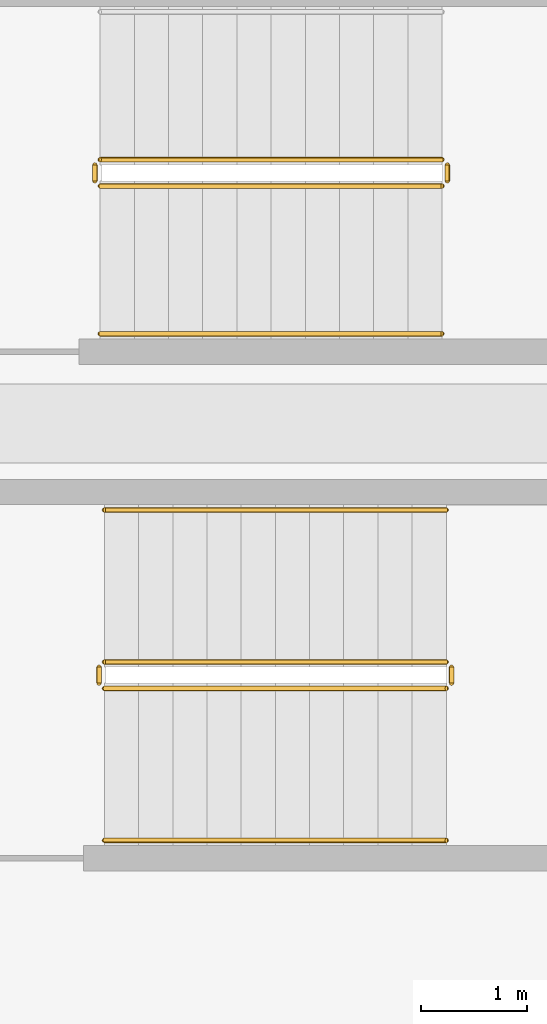
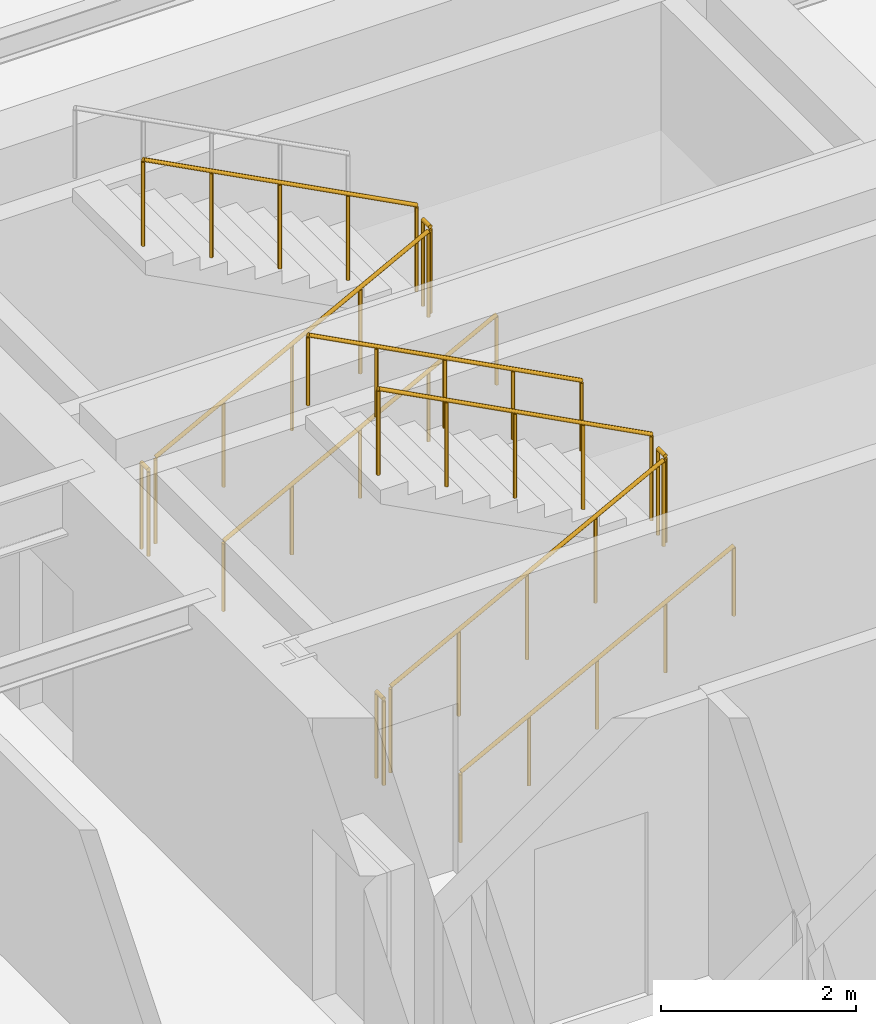
# One storey, part 11 of 12: 11 railings.
"""IFC4 building model written with IfcOpenShell, lengths in metres."""

from ifc_helpers import new_model, si_unit, direction, frame, origin, origin_2d, place, context, subcontext, project, spatial, circle, extrude, material, type_object, element, save


model = new_model("IFC4")

# Units and contexts
model_context = context("Model", 3, precision=1e-05, world=origin(), true_north=direction((0.0, 1.0)))
body_context = subcontext(model_context, "Body", "Model", "MODEL_VIEW")
ifc_project = project(units=[si_unit("LENGTHUNIT", "METRE"), si_unit("AREAUNIT", "SQUARE_METRE"), si_unit("VOLUMEUNIT", "CUBIC_METRE"), si_unit("PLANEANGLEUNIT", "RADIAN"), si_unit("MASSUNIT", "GRAM", prefix="KILO")], contexts=[model_context])

# Site, building, storey
site_placement = place(None, origin())
site = spatial("IfcSite", under=ifc_project, at=site_placement, CompositionType="ELEMENT")
building_placement = place(site_placement, origin())
building = spatial("IfcBuilding", under=site, at=building_placement, Name="Kolvaren Arena Tower", CompositionType="ELEMENT")
storey_placement = place(building_placement, frame((0.0, 0.0, 165.949951171875)))
storey = spatial("IfcBuildingStorey", under=building, at=storey_placement, Name="L39", CompositionType="ELEMENT", Elevation=165.949951171875)

# Railings
ifc_material_1 = material(Name="Painted galvanized steel", Category="steel")
railing_type_1 = type_object("IfcRailingType", Name="GUARD-ST-110", PredefinedType="GUARDRAIL", material=ifc_material_1)
railing_1_placement = place(storey_placement, frame((52.719970703125, 31.639892578125, 0.17041015625)))
element("IfcRailing", 1, at=railing_1_placement, inside=storey, type_object=railing_type_1, Name="L39 ST-E1 stair guard 1", PredefinedType="GUARDRAIL", context=body_context, shape_type="SweptSolid", body=[
    extrude(circle(Radius=0.02392578125, at=origin_2d()), frame((0.0, 0.0, 1.076171875), z_axis=(0.884993431791, 0.0, 0.465603506952), x_axis=(0.0, 1.0, 0.0)), (0.0, 0.0, 1.0), 3.6611328125),
    extrude(circle(Radius=0.02099609375, at=origin_2d()), origin(), (0.0, 0.0, 1.0), 1.052001953125),
    extrude(circle(Radius=0.02099609375, at=origin_2d()), frame((0.81005859375, 0.0, 0.42626953125)), (0.0, 0.0, 1.0), 1.052001953125),
    extrude(circle(Radius=0.02099609375, at=origin_2d()), frame((1.6201171875, 0.0, 0.852294921875)), (0.0, 0.0, 1.0), 1.052001953125),
    extrude(circle(Radius=0.02099609375, at=origin_2d()), frame((2.429931640625, 0.0, 1.2783203125)), (0.0, 0.0, 1.0), 1.052001953125),
    extrude(circle(Radius=0.02099609375, at=origin_2d()), frame((3.239990234375, 0.0, 1.70458984375)), (0.0, 0.0, 1.0), 1.052001953125),
])
railing_2_placement = place(storey_placement, frame((56.010009765625, 31.68994140625, 1.875)))
element("IfcRailing", 2, at=railing_2_placement, inside=storey, type_object=railing_type_1, Name="L39 ST-E1 stair guard 2", PredefinedType="GUARDRAIL", context=body_context, shape_type="SweptSolid", body=[
    extrude(circle(Radius=0.02392578125, at=origin_2d()), frame((0.0, 0.0, 1.076171875), z_axis=(0.0, 1.0, 0.0), x_axis=(-1.0, 0.0, 0.0)), (0.0, 0.0, 1.0), 0.150146484375),
    extrude(circle(Radius=0.02099609375, at=origin_2d()), origin(), (0.0, 0.0, 1.0), 1.052001953125),
    extrude(circle(Radius=0.02099609375, at=origin_2d()), frame((0.0, 0.150146484375, 0.0)), (0.0, 0.0, 1.0), 1.052001953125),
])
railing_3_placement = place(storey_placement, frame((55.9599609375, 31.889892578125, 2.04541015625)))
element("IfcRailing", 3, at=railing_3_placement, inside=storey, type_object=railing_type_1, Name="L39 ST-E1 stair guard 3", PredefinedType="GUARDRAIL", context=body_context, shape_type="SweptSolid", body=[
    extrude(circle(Radius=0.02392578125, at=origin_2d()), frame((0.0, 0.0, 1.076171875), z_axis=(-0.884993431791, 0.0, 0.465603506952), x_axis=(0.0, -1.0, 0.0)), (0.0, 0.0, 1.0), 3.6611328125),
    extrude(circle(Radius=0.02099609375, at=origin_2d()), origin(), (0.0, 0.0, 1.0), 1.052001953125),
    extrude(circle(Radius=0.02099609375, at=origin_2d()), frame((-0.81005859375, 0.0, 0.42626953125)), (0.0, 0.0, 1.0), 1.052001953125),
    extrude(circle(Radius=0.02099609375, at=origin_2d()), frame((-1.6201171875, 0.0, 0.852294921875)), (0.0, 0.0, 1.0), 1.052001953125),
    extrude(circle(Radius=0.02099609375, at=origin_2d()), frame((-2.429931640625, 0.0, 1.2783203125)), (0.0, 0.0, 1.0), 1.052001953125),
    extrude(circle(Radius=0.02099609375, at=origin_2d()), frame((-3.239990234375, 0.0, 1.70458984375)), (0.0, 0.0, 1.0), 1.052001953125),
])
railing_4_placement = place(storey_placement, frame((52.669921875, 31.68994140625, 0.0)))
element("IfcRailing", 4, at=railing_4_placement, inside=storey, type_object=railing_type_1, Name="L39 ST-E1 stair guard 4", PredefinedType="GUARDRAIL", context=body_context, shape_type="SweptSolid", body=[
    extrude(circle(Radius=0.02392578125, at=origin_2d()), frame((0.0, 0.0, 1.076171875), z_axis=(0.0, 1.0, 0.0), x_axis=(-1.0, 0.0, 0.0)), (0.0, 0.0, 1.0), 0.150146484375),
    extrude(circle(Radius=0.02099609375, at=origin_2d()), origin(), (0.0, 0.0, 1.0), 1.052001953125),
    extrude(circle(Radius=0.02099609375, at=origin_2d()), frame((0.0, 0.150146484375, 0.0)), (0.0, 0.0, 1.0), 1.052001953125),
])
railing_5_placement = place(storey_placement, frame((52.679931640625, 36.39990234375, 0.17041015625)))
element("IfcRailing", 5, at=railing_5_placement, inside=storey, type_object=railing_type_1, Name="L39 ST-E2 stair guard 1", PredefinedType="GUARDRAIL", context=body_context, shape_type="SweptSolid", body=[
    extrude(circle(Radius=0.02392578125, at=origin_2d()), frame((0.0, 0.0, 1.076171875), z_axis=(0.884993431791, 0.0, 0.465603506952), x_axis=(0.0, 1.0, 0.0)), (0.0, 0.0, 1.0), 3.6611328125),
    extrude(circle(Radius=0.02099609375, at=origin_2d()), origin(), (0.0, 0.0, 1.0), 1.052001953125),
    extrude(circle(Radius=0.02099609375, at=origin_2d()), frame((0.81005859375, 0.0, 0.42626953125)), (0.0, 0.0, 1.0), 1.052001953125),
    extrude(circle(Radius=0.02099609375, at=origin_2d()), frame((1.6201171875, 0.0, 0.852294921875)), (0.0, 0.0, 1.0), 1.052001953125),
    extrude(circle(Radius=0.02099609375, at=origin_2d()), frame((2.429931640625, 0.0, 1.2783203125)), (0.0, 0.0, 1.0), 1.052001953125),
    extrude(circle(Radius=0.02099609375, at=origin_2d()), frame((3.239990234375, 0.0, 1.70458984375)), (0.0, 0.0, 1.0), 1.052001953125),
])
railing_6_placement = place(storey_placement, frame((55.969970703125, 36.449951171875, 1.875)))
element("IfcRailing", 6, at=railing_6_placement, inside=storey, type_object=railing_type_1, Name="L39 ST-E2 stair guard 2", PredefinedType="GUARDRAIL", context=body_context, shape_type="SweptSolid", body=[
    extrude(circle(Radius=0.02392578125, at=origin_2d()), frame((0.0, 0.0, 1.076171875), z_axis=(0.0, 1.0, 0.0), x_axis=(-1.0, 0.0, 0.0)), (0.0, 0.0, 1.0), 0.150146484375),
    extrude(circle(Radius=0.02099609375, at=origin_2d()), origin(), (0.0, 0.0, 1.0), 1.052001953125),
    extrude(circle(Radius=0.02099609375, at=origin_2d()), frame((0.0, 0.150146484375, 0.0)), (0.0, 0.0, 1.0), 1.052001953125),
])
railing_7_placement = place(storey_placement, frame((55.919921875, 36.64990234375, 2.04541015625)))
element("IfcRailing", 7, at=railing_7_placement, inside=storey, type_object=railing_type_1, Name="L39 ST-E2 stair guard 3", PredefinedType="GUARDRAIL", context=body_context, shape_type="SweptSolid", body=[
    extrude(circle(Radius=0.02392578125, at=origin_2d()), frame((0.0, 0.0, 1.076171875), z_axis=(-0.884993431791, 0.0, 0.465603506952), x_axis=(0.0, -1.0, 0.0)), (0.0, 0.0, 1.0), 3.6611328125),
    extrude(circle(Radius=0.02099609375, at=origin_2d()), origin(), (0.0, 0.0, 1.0), 1.052001953125),
    extrude(circle(Radius=0.02099609375, at=origin_2d()), frame((-0.81005859375, 0.0, 0.42626953125)), (0.0, 0.0, 1.0), 1.052001953125),
    extrude(circle(Radius=0.02099609375, at=origin_2d()), frame((-1.6201171875, 0.0, 0.852294921875)), (0.0, 0.0, 1.0), 1.052001953125),
    extrude(circle(Radius=0.02099609375, at=origin_2d()), frame((-2.429931640625, 0.0, 1.2783203125)), (0.0, 0.0, 1.0), 1.052001953125),
    extrude(circle(Radius=0.02099609375, at=origin_2d()), frame((-3.239990234375, 0.0, 1.70458984375)), (0.0, 0.0, 1.0), 1.052001953125),
])
railing_8_placement = place(storey_placement, frame((52.6298828125, 36.449951171875, 0.0)))
element("IfcRailing", 8, at=railing_8_placement, inside=storey, type_object=railing_type_1, Name="L39 ST-E2 stair guard 4", PredefinedType="GUARDRAIL", context=body_context, shape_type="SweptSolid", body=[
    extrude(circle(Radius=0.02392578125, at=origin_2d()), frame((0.0, 0.0, 1.076171875), z_axis=(0.0, 1.0, 0.0), x_axis=(-1.0, 0.0, 0.0)), (0.0, 0.0, 1.0), 0.150146484375),
    extrude(circle(Radius=0.02099609375, at=origin_2d()), origin(), (0.0, 0.0, 1.0), 1.052001953125),
    extrude(circle(Radius=0.02099609375, at=origin_2d()), frame((0.0, 0.150146484375, 0.0)), (0.0, 0.0, 1.0), 1.052001953125),
])
ifc_material_2 = material(Name="Brushed stainless steel handrail", Category="steel")
railing_type_2 = type_object("IfcRailingType", Name="HRAIL-900", PredefinedType="HANDRAIL", material=ifc_material_2)
railing_9_placement = place(storey_placement, frame((52.719970703125, 30.199951171875, 0.17041015625)))
element("IfcRailing", 9, at=railing_9_placement, inside=storey, type_object=railing_type_2, Name="L39 ST-E1 stair handrail 1", PredefinedType="HANDRAIL", context=body_context, shape_type="SweptSolid", body=[
    extrude(circle(Radius=0.02392578125, at=origin_2d()), frame((0.0, 0.0, 0.8759765625), z_axis=(0.884993431791, 0.0, 0.465603506952), x_axis=(0.0, 1.0, 0.0)), (0.0, 0.0, 1.0), 3.6611328125),
    extrude(circle(Radius=0.02099609375, at=origin_2d()), origin(), (0.0, 0.0, 1.0), 0.851806640625),
    extrude(circle(Radius=0.02099609375, at=origin_2d()), frame((0.81005859375, 0.0, 0.42626953125)), (0.0, 0.0, 1.0), 0.851806640625),
    extrude(circle(Radius=0.02099609375, at=origin_2d()), frame((1.6201171875, 0.0, 0.852294921875)), (0.0, 0.0, 1.0), 0.851806640625),
    extrude(circle(Radius=0.02099609375, at=origin_2d()), frame((2.429931640625, 0.0, 1.2783203125)), (0.0, 0.0, 1.0), 0.851806640625),
    extrude(circle(Radius=0.02099609375, at=origin_2d()), frame((3.239990234375, 0.0, 1.70458984375)), (0.0, 0.0, 1.0), 0.851806640625),
])
railing_10_placement = place(storey_placement, frame((55.9599609375, 33.330078125, 2.04541015625)))
element("IfcRailing", 10, at=railing_10_placement, inside=storey, type_object=railing_type_2, Name="L39 ST-E1 stair handrail 2", PredefinedType="HANDRAIL", context=body_context, shape_type="SweptSolid", body=[
    extrude(circle(Radius=0.02392578125, at=origin_2d()), frame((0.0, 0.0, 0.8759765625), z_axis=(-0.884993431791, 0.0, 0.465603506952), x_axis=(0.0, -1.0, 0.0)), (0.0, 0.0, 1.0), 3.6611328125),
    extrude(circle(Radius=0.02099609375, at=origin_2d()), origin(), (0.0, 0.0, 1.0), 0.851806640625),
    extrude(circle(Radius=0.02099609375, at=origin_2d()), frame((-0.81005859375, 0.0, 0.42626953125)), (0.0, 0.0, 1.0), 0.851806640625),
    extrude(circle(Radius=0.02099609375, at=origin_2d()), frame((-1.6201171875, 0.0, 0.852294921875)), (0.0, 0.0, 1.0), 0.851806640625),
    extrude(circle(Radius=0.02099609375, at=origin_2d()), frame((-2.429931640625, 0.0, 1.2783203125)), (0.0, 0.0, 1.0), 0.851806640625),
    extrude(circle(Radius=0.02099609375, at=origin_2d()), frame((-3.239990234375, 0.0, 1.70458984375)), (0.0, 0.0, 1.0), 0.851806640625),
])
railing_11_placement = place(storey_placement, frame((52.679931640625, 35.0, 0.17041015625)))
element("IfcRailing", 11, at=railing_11_placement, inside=storey, type_object=railing_type_2, Name="L39 ST-E2 stair handrail 1", PredefinedType="HANDRAIL", context=body_context, shape_type="SweptSolid", body=[
    extrude(circle(Radius=0.02392578125, at=origin_2d()), frame((0.0, 0.0, 0.8759765625), z_axis=(0.884993431791, 0.0, 0.465603506952), x_axis=(0.0, 1.0, 0.0)), (0.0, 0.0, 1.0), 3.6611328125),
    extrude(circle(Radius=0.02099609375, at=origin_2d()), origin(), (0.0, 0.0, 1.0), 0.851806640625),
    extrude(circle(Radius=0.02099609375, at=origin_2d()), frame((0.81005859375, 0.0, 0.42626953125)), (0.0, 0.0, 1.0), 0.851806640625),
    extrude(circle(Radius=0.02099609375, at=origin_2d()), frame((1.6201171875, 0.0, 0.852294921875)), (0.0, 0.0, 1.0), 0.851806640625),
    extrude(circle(Radius=0.02099609375, at=origin_2d()), frame((2.429931640625, 0.0, 1.2783203125)), (0.0, 0.0, 1.0), 0.851806640625),
    extrude(circle(Radius=0.02099609375, at=origin_2d()), frame((3.239990234375, 0.0, 1.70458984375)), (0.0, 0.0, 1.0), 0.851806640625),
])

save(model, "model.ifc")
